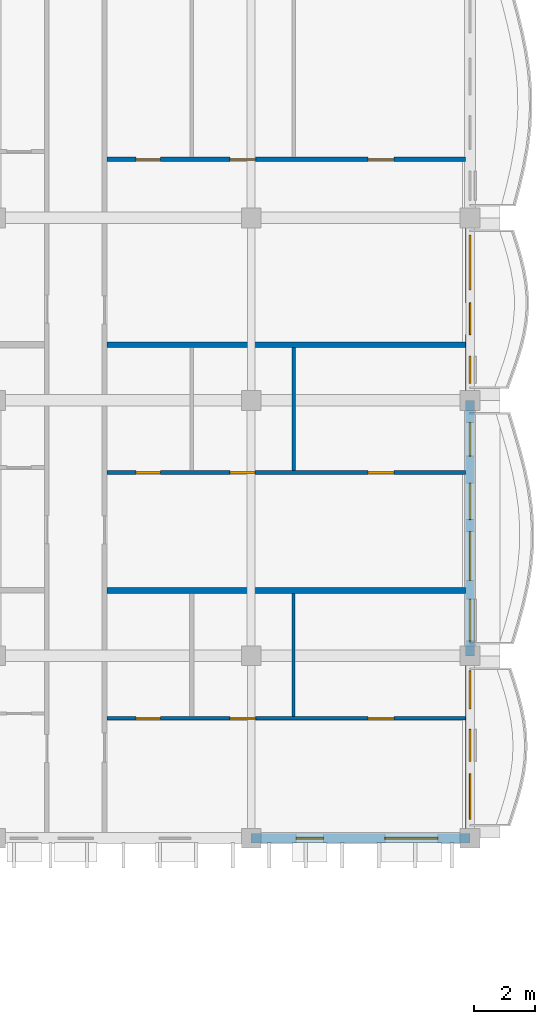
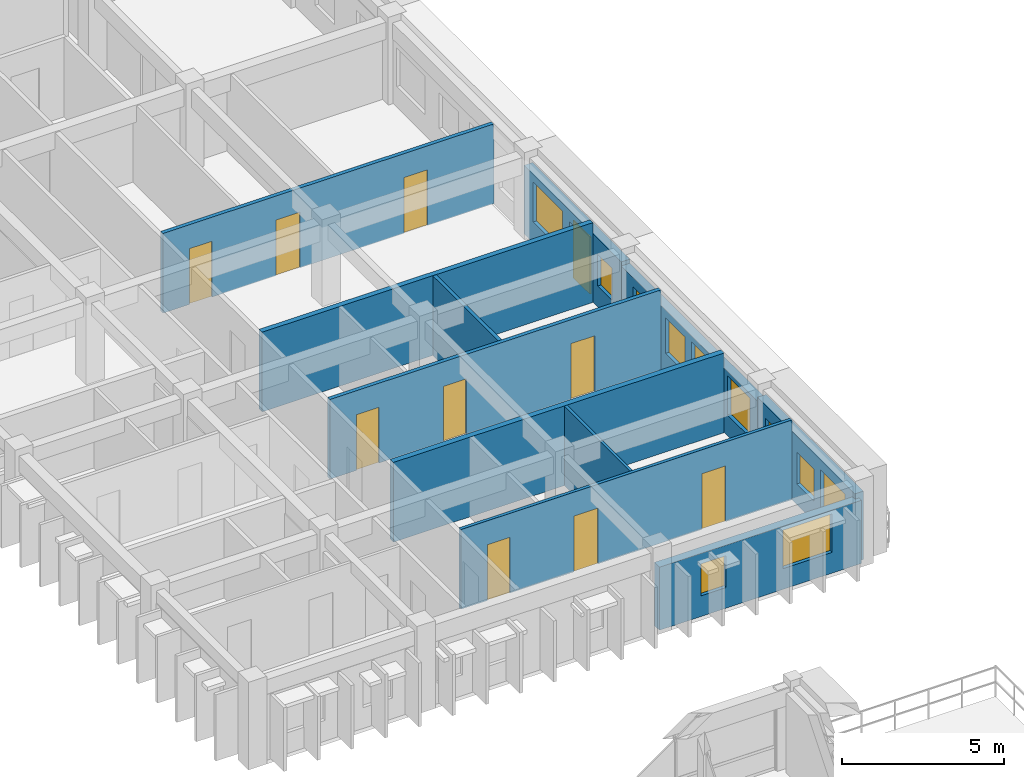
# One storey, part 34 of 66: 12 doors, 11 walls, 9 windows, 21 openings.
"""IFC4 building model written with IfcOpenShell, lengths in metres."""

from ifc_helpers import new_model, si_unit, direction, frame, frame_2d, origin, place, context, subcontext, project, spatial, rectangle, extrude, material, layer, layer_set, type_object, element, fill, save


model = new_model("IFC4")

# Units and contexts
model_context = context("Model", 3, precision=1e-05, world=origin(), true_north=direction((0.0, 1.0)))
body_context = subcontext(model_context, "Body", "Model", "MODEL_VIEW")
ifc_project = project(units=[si_unit("LENGTHUNIT", "METRE"), si_unit("AREAUNIT", "SQUARE_METRE"), si_unit("VOLUMEUNIT", "CUBIC_METRE"), si_unit("PLANEANGLEUNIT", "RADIAN"), si_unit("MASSUNIT", "GRAM", prefix="KILO"), si_unit("THERMODYNAMICTEMPERATUREUNIT", "KELVIN")], contexts=[model_context])

# Site, building, storey
site_placement = place(None, origin())
site = spatial("IfcSite", under=ifc_project, at=site_placement, CompositionType="ELEMENT")
building_placement = place(site_placement, origin())
building = spatial("IfcBuilding", under=site, at=building_placement, Name="Thalorik Housing Commons", CompositionType="ELEMENT")
storey_placement = place(building_placement, frame((0.0, 0.0, 21.300048828125)))
storey = spatial("IfcBuildingStorey", under=building, at=storey_placement, Name="L06", CompositionType="ELEMENT", Elevation=21.300048828125)

# Wall, openings, windows
ifc_material_1 = material(Name="White precast concrete C40/50", Category="concrete")
ifc_layer_1 = layer(ifc_material_1, 0.304931640625, Name="White precast concrete C40/50", Category="concrete")
ifc_layer_set_1 = layer_set([ifc_layer_1], Name="White precast concrete C40/50")
wall_type_1 = type_object("IfcWallType", Name="ARC-WAL-EXT-305", PredefinedType="STANDARD", material=ifc_layer_set_1)
wall_1_placement = place(storey_placement, frame((166.800048828125, 80.39990234375, 0.0), z_axis=(0.0, 0.0, 1.0), x_axis=(1.0, 0.0, 0.0)))
wall_1 = element("IfcWall", 1, at=wall_1_placement, inside=storey, type_object=wall_type_1, Name="L06 Exterior Wall WAL-EXT-L06-B-0630", PredefinedType="STANDARD", context=body_context, shape_type="SweptSolid", body=[
    extrude(rectangle(XDim=7.199951171875, YDim=0.304931640625, at=frame_2d((3.60009765625, 0.0))), origin(), (0.0, 0.0, 1.0), 2.375),
])
opening_1_placement = place(wall_1_placement, frame((1.47998046875, 0.0, 0.780029296875)))
opening_1 = element("IfcOpeningElement", 2, at=opening_1_placement, cuts=wall_1, Name="Opening W-01", PredefinedType="OPENING", context=body_context, shape_type="SweptSolid", body=[
    extrude(rectangle(XDim=0.89990234375, YDim=1.199951171875, at=frame_2d((0.449951171875, 0.60009765625))), frame((0.0, 0.16259765625, 0.0), z_axis=(0.0, -1.0, 0.0), x_axis=(1.0, 0.0, 0.0)), (0.0, 0.0, 1.0), 0.324951171875),
])
opening_2_placement = place(wall_1_placement, frame((4.39501953125, 0.0, 0.780029296875)))
opening_2 = element("IfcOpeningElement", 3, at=opening_2_placement, cuts=wall_1, Name="Opening W-17", PredefinedType="OPENING", context=body_context, shape_type="SweptSolid", body=[
    extrude(rectangle(XDim=1.75, YDim=1.449951171875, at=frame_2d((0.875, 0.72509765625))), frame((0.0, 0.16259765625, 0.0), z_axis=(0.0, -1.0, 0.0), x_axis=(1.0, 0.0, 0.0)), (0.0, 0.0, 1.0), 0.324951171875),
])
ifc_material_2 = material(Name="Anodised aluminium and solar-control low-E glass", Category="aluminium")
window_type_1 = type_object("IfcWindowType", Name="ARC-WIN-01", PartitioningType="SINGLE_PANEL", PredefinedType="WINDOW", material=ifc_material_2)
window_1_placement = place(opening_1_placement, origin())
window_1 = element("IfcWindow", 4, at=window_1_placement, inside=storey, type_object=window_type_1, Name="L06 Facade Window 1151", OverallHeight=1.199951171875, OverallWidth=0.89990234375, PartitioningType="SINGLE_PANEL", PredefinedType="WINDOW", context=body_context, shape_type="SweptSolid", body=[
    extrude(rectangle(XDim=0.89990234375, YDim=1.199951171875, at=frame_2d((0.449951171875, 0.60009765625))), frame((0.0, 0.030029296875, 0.0), z_axis=(0.0, -1.0, 0.0), x_axis=(1.0, 0.0, 0.0)), (0.0, 0.0, 1.0), 0.06005859375),
])
fill(opening_1, window_1)
window_type_2 = type_object("IfcWindowType", Name="ARC-WIN-17", PartitioningType="DOUBLE_PANEL_VERTICAL", PredefinedType="WINDOW", material=ifc_material_2)
window_2_placement = place(opening_2_placement, origin())
window_2 = element("IfcWindow", 5, at=window_2_placement, inside=storey, type_object=window_type_2, Name="L06 Facade Window 1152", OverallHeight=1.449951171875, OverallWidth=1.75, PartitioningType="DOUBLE_PANEL_VERTICAL", PredefinedType="WINDOW", context=body_context, shape_type="SweptSolid", body=[
    extrude(rectangle(XDim=1.75, YDim=1.449951171875, at=frame_2d((0.875, 0.72509765625))), frame((0.0, 0.030029296875, 0.0), z_axis=(0.0, -1.0, 0.0), x_axis=(1.0, 0.0, 0.0)), (0.0, 0.0, 1.0), 0.06005859375),
])
fill(opening_2, window_2)

# Wall, openings, door, windows
wall_2_placement = place(storey_placement, frame((174.0, 80.39990234375, 0.0), z_axis=(0.0, 0.0, 1.0), x_axis=(0.0, 1.0, 0.0)))
wall_2 = element("IfcWall", 6, at=wall_2_placement, inside=storey, type_object=wall_type_1, Name="L06 Exterior Wall WAL-EXT-L06-B-0631", PredefinedType="STANDARD", context=body_context, shape_type="SweptSolid", body=[
    extrude(rectangle(XDim=6.0, YDim=0.304931640625, at=frame_2d((3.0, 0.0))), origin(), (0.0, 0.0, 1.0), 2.574951171875),
])
opening_3_placement = place(wall_2_placement, frame((0.6201171875, 0.0, 0.0)))
opening_3 = element("IfcOpeningElement", 7, at=opening_3_placement, cuts=wall_2, Name="Opening ED-0204", PredefinedType="OPENING", context=body_context, shape_type="SweptSolid", body=[
    extrude(rectangle(XDim=1.5, YDim=2.199951171875, at=frame_2d((0.75, 1.10009765625))), frame((0.0, 0.16259765625, 0.0), z_axis=(0.0, -1.0, 0.0), x_axis=(1.0, 0.0, 0.0)), (0.0, 0.0, 1.0), 0.324951171875),
])
opening_4_placement = place(wall_2_placement, frame((2.531494140625, 0.0, 0.780029296875)))
opening_4 = element("IfcOpeningElement", 8, at=opening_4_placement, cuts=wall_2, Name="Opening W-44", PredefinedType="OPENING", context=body_context, shape_type="SweptSolid", body=[
    extrude(rectangle(XDim=1.050048828125, YDim=1.199951171875, at=frame_2d((0.52490234375, 0.60009765625))), frame((0.0, 0.16259765625, 0.0), z_axis=(0.0, -1.0, 0.0), x_axis=(1.0, 0.0, 0.0)), (0.0, 0.0, 1.0), 0.324951171875),
])
opening_5_placement = place(wall_2_placement, frame((4.251708984375, 0.0, 0.780029296875)))
opening_5 = element("IfcOpeningElement", 9, at=opening_5_placement, cuts=wall_2, Name="Opening W-46", PredefinedType="OPENING", context=body_context, shape_type="SweptSolid", body=[
    extrude(rectangle(XDim=1.25, YDim=1.300048828125, at=frame_2d((0.625, 0.64990234375))), frame((0.0, 0.16259765625, 0.0), z_axis=(0.0, -1.0, 0.0), x_axis=(1.0, 0.0, 0.0)), (0.0, 0.0, 1.0), 0.324951171875),
])
ifc_material_3 = material(Name="Anodised aluminium and laminated safety glass", Category="aluminium")
door_type_1 = type_object("IfcDoorType", Name="ARC-DR-BAL-1500", OperationType="NOTDEFINED", PredefinedType="DOOR", material=ifc_material_3)
door_1_placement = place(opening_3_placement, frame((1.5, 0.0, 0.0), z_axis=(0.0, 0.0, 1.0), x_axis=(-1.0, 0.0, 0.0)))
door_1 = element("IfcDoor", 10, at=door_1_placement, inside=storey, type_object=door_type_1, Name="L06 Block B Balcony Glazed Door", OperationType="SLIDING_TO_RIGHT", OverallHeight=2.199951171875, OverallWidth=1.5, PredefinedType="DOOR", context=body_context, shape_type="SweptSolid", body=[
    extrude(rectangle(XDim=1.5, YDim=2.199951171875, at=frame_2d((0.75, 1.10009765625))), frame((0.0, 0.02490234375, 0.0), z_axis=(0.0, -1.0, 0.0), x_axis=(1.0, 0.0, 0.0)), (0.0, 0.0, 1.0), 0.050048828125),
])
fill(opening_3, door_1)
window_type_3 = type_object("IfcWindowType", Name="ARC-WIN-44", PartitioningType="SINGLE_PANEL", PredefinedType="WINDOW", material=ifc_material_2)
window_3_placement = place(opening_4_placement, origin())
window_3 = element("IfcWindow", 11, at=window_3_placement, inside=storey, type_object=window_type_3, Name="L06 Facade Window 1153", OverallHeight=1.199951171875, OverallWidth=1.050048828125, PartitioningType="SINGLE_PANEL", PredefinedType="WINDOW", context=body_context, shape_type="SweptSolid", body=[
    extrude(rectangle(XDim=1.050048828125, YDim=1.199951171875, at=frame_2d((0.52490234375, 0.60009765625))), frame((0.0, 0.030029296875, 0.0), z_axis=(0.0, -1.0, 0.0), x_axis=(1.0, 0.0, 0.0)), (0.0, 0.0, 1.0), 0.06005859375),
])
fill(opening_4, window_3)
window_type_4 = type_object("IfcWindowType", Name="ARC-WIN-46", PartitioningType="SINGLE_PANEL", PredefinedType="WINDOW", material=ifc_material_2)
window_4_placement = place(opening_5_placement, origin())
window_4 = element("IfcWindow", 12, at=window_4_placement, inside=storey, type_object=window_type_4, Name="L06 Facade Window 1154", OverallHeight=1.300048828125, OverallWidth=1.25, PartitioningType="SINGLE_PANEL", PredefinedType="WINDOW", context=body_context, shape_type="SweptSolid", body=[
    extrude(rectangle(XDim=1.25, YDim=1.300048828125, at=frame_2d((0.625, 0.64990234375))), frame((0.0, 0.030029296875, 0.0), z_axis=(0.0, -1.0, 0.0), x_axis=(1.0, 0.0, 0.0)), (0.0, 0.0, 1.0), 0.06005859375),
])
fill(opening_5, window_4)

wall_3_placement = place(storey_placement, frame((174.0, 86.39990234375, 0.0), z_axis=(0.0, 0.0, 1.0), x_axis=(0.0, 1.0, 0.0)))
wall_3 = element("IfcWall", 13, at=wall_3_placement, inside=storey, type_object=wall_type_1, Name="L06 Exterior Wall WAL-EXT-L06-B-0632", PredefinedType="STANDARD", context=body_context, shape_type="SweptSolid", body=[
    extrude(rectangle(XDim=8.400146484375, YDim=0.304931640625, at=frame_2d((4.2001953125, 0.0))), origin(), (0.0, 0.0, 1.0), 2.425048828125),
])
opening_6_placement = place(wall_3_placement, frame((2.47998046875, 0.0, 0.0)))
opening_6 = element("IfcOpeningElement", 14, at=opening_6_placement, cuts=wall_3, Name="Opening ED-0205", PredefinedType="OPENING", context=body_context, shape_type="SweptSolid", body=[
    extrude(rectangle(XDim=1.60009765625, YDim=2.199951171875, at=frame_2d((0.800048828125, 1.10009765625))), frame((0.0, 0.16259765625, 0.0), z_axis=(0.0, -1.0, 0.0), x_axis=(1.0, 0.0, 0.0)), (0.0, 0.0, 1.0), 0.324951171875),
])
opening_7_placement = place(wall_3_placement, frame((0.47998046875, 0.0, 0.780029296875)))
opening_7 = element("IfcOpeningElement", 15, at=opening_7_placement, cuts=wall_3, Name="Opening W-49", PredefinedType="OPENING", context=body_context, shape_type="SweptSolid", body=[
    extrude(rectangle(XDim=1.3798828125, YDim=1.47998046875, at=frame_2d((0.68994140625, 0.739990234375))), frame((0.0, 0.16259765625, 0.0), z_axis=(0.0, -1.0, 0.0), x_axis=(1.0, 0.0, 0.0)), (0.0, 0.0, 1.0), 0.324951171875),
])
opening_8_placement = place(wall_3_placement, frame((4.479248046875, 0.0, 0.780029296875)))
opening_8 = element("IfcOpeningElement", 16, at=opening_8_placement, cuts=wall_3, Name="Opening W-04", PredefinedType="OPENING", context=body_context, shape_type="SweptSolid", body=[
    extrude(rectangle(XDim=1.199951171875, YDim=1.35009765625, at=frame_2d((0.60009765625, 0.675048828125))), frame((0.0, 0.16259765625, 0.0), z_axis=(0.0, -1.0, 0.0), x_axis=(1.0, 0.0, 0.0)), (0.0, 0.0, 1.0), 0.324951171875),
])
opening_9_placement = place(wall_3_placement, frame((6.569091796875, 0.0, 0.780029296875)))
opening_9 = element("IfcOpeningElement", 17, at=opening_9_placement, cuts=wall_3, Name="Opening W-03", PredefinedType="OPENING", context=body_context, shape_type="SweptSolid", body=[
    extrude(rectangle(XDim=1.10009765625, YDim=1.300048828125, at=frame_2d((0.550048828125, 0.64990234375))), frame((0.0, 0.16259765625, 0.0), z_axis=(0.0, -1.0, 0.0), x_axis=(1.0, 0.0, 0.0)), (0.0, 0.0, 1.0), 0.324951171875),
])
door_type_2 = type_object("IfcDoorType", Name="ARC-DR-BAL-1600", OperationType="NOTDEFINED", PredefinedType="DOOR", material=ifc_material_3)
door_2_placement = place(opening_6_placement, frame((1.60009765625, 0.0, 0.0), z_axis=(0.0, 0.0, 1.0), x_axis=(-1.0, 0.0, 0.0)))
door_2 = element("IfcDoor", 18, at=door_2_placement, inside=storey, type_object=door_type_2, Name="L06 Block B Balcony Glazed Door", OperationType="SLIDING_TO_LEFT", OverallHeight=2.199951171875, OverallWidth=1.60009765625, PredefinedType="DOOR", context=body_context, shape_type="SweptSolid", body=[
    extrude(rectangle(XDim=1.60009765625, YDim=2.199951171875, at=frame_2d((0.800048828125, 1.10009765625))), frame((0.0, 0.02490234375, 0.0), z_axis=(0.0, -1.0, 0.0), x_axis=(1.0, 0.0, 0.0)), (0.0, 0.0, 1.0), 0.050048828125),
])
fill(opening_6, door_2)
window_type_5 = type_object("IfcWindowType", Name="ARC-WIN-03", PartitioningType="SINGLE_PANEL", PredefinedType="WINDOW", material=ifc_material_2)
window_5_placement = place(opening_9_placement, origin())
window_5 = element("IfcWindow", 19, at=window_5_placement, inside=storey, type_object=window_type_5, Name="L06 Facade Window 1157", OverallHeight=1.300048828125, OverallWidth=1.10009765625, PartitioningType="SINGLE_PANEL", PredefinedType="WINDOW", context=body_context, shape_type="SweptSolid", body=[
    extrude(rectangle(XDim=1.10009765625, YDim=1.300048828125, at=frame_2d((0.550048828125, 0.64990234375))), frame((0.0, 0.030029296875, 0.0), z_axis=(0.0, -1.0, 0.0), x_axis=(1.0, 0.0, 0.0)), (0.0, 0.0, 1.0), 0.06005859375),
])
fill(opening_9, window_5)
window_type_6 = type_object("IfcWindowType", Name="ARC-WIN-04", PartitioningType="SINGLE_PANEL", PredefinedType="WINDOW", material=ifc_material_2)
window_6_placement = place(opening_8_placement, origin())
window_6 = element("IfcWindow", 20, at=window_6_placement, inside=storey, type_object=window_type_6, Name="L06 Facade Window 1156", OverallHeight=1.35009765625, OverallWidth=1.199951171875, PartitioningType="SINGLE_PANEL", PredefinedType="WINDOW", context=body_context, shape_type="SweptSolid", body=[
    extrude(rectangle(XDim=1.199951171875, YDim=1.35009765625, at=frame_2d((0.60009765625, 0.675048828125))), frame((0.0, 0.030029296875, 0.0), z_axis=(0.0, -1.0, 0.0), x_axis=(1.0, 0.0, 0.0)), (0.0, 0.0, 1.0), 0.06005859375),
])
fill(opening_8, window_6)
window_type_7 = type_object("IfcWindowType", Name="ARC-WIN-49", PartitioningType="SINGLE_PANEL", PredefinedType="WINDOW", material=ifc_material_2)
window_7_placement = place(opening_7_placement, origin())
window_7 = element("IfcWindow", 21, at=window_7_placement, inside=storey, type_object=window_type_7, Name="L06 Facade Window 1155", OverallHeight=1.47998046875, OverallWidth=1.3798828125, PartitioningType="SINGLE_PANEL", PredefinedType="WINDOW", context=body_context, shape_type="SweptSolid", body=[
    extrude(rectangle(XDim=1.3798828125, YDim=1.47998046875, at=frame_2d((0.68994140625, 0.739990234375))), frame((0.0, 0.030029296875, 0.0), z_axis=(0.0, -1.0, 0.0), x_axis=(1.0, 0.0, 0.0)), (0.0, 0.0, 1.0), 0.06005859375),
])
fill(opening_7, window_7)

wall_4_placement = place(storey_placement, frame((174.0, 94.800048828125, 0.0), z_axis=(0.0, 0.0, 1.0), x_axis=(0.0, 1.0, 0.0)))
wall_4 = element("IfcWall", 22, at=wall_4_placement, inside=storey, type_object=wall_type_1, Name="L06 Exterior Wall WAL-EXT-L06-B-0633", PredefinedType="STANDARD", context=body_context, shape_type="SweptSolid", body=[
    extrude(rectangle(XDim=6.0, YDim=0.304931640625, at=frame_2d((3.0, 0.0))), origin(), (0.0, 0.0, 1.0), 2.574951171875),
])
opening_10_placement = place(wall_4_placement, frame((2.159912109375, 0.0, 0.0)))
opening_10 = element("IfcOpeningElement", 23, at=opening_10_placement, cuts=wall_4, Name="Opening ED-0206", PredefinedType="OPENING", context=body_context, shape_type="SweptSolid", body=[
    extrude(rectangle(XDim=1.050048828125, YDim=2.14990234375, at=frame_2d((0.52490234375, 1.074951171875))), frame((0.0, 0.16259765625, 0.0), z_axis=(0.0, -1.0, 0.0), x_axis=(1.0, 0.0, 0.0)), (0.0, 0.0, 1.0), 0.324951171875),
])
opening_11_placement = place(wall_4_placement, frame((0.56005859375, 0.0, 0.780029296875)))
opening_11 = element("IfcOpeningElement", 24, at=opening_11_placement, cuts=wall_4, Name="Opening W-01", PredefinedType="OPENING", context=body_context, shape_type="SweptSolid", body=[
    extrude(rectangle(XDim=0.89990234375, YDim=1.199951171875, at=frame_2d((0.449951171875, 0.60009765625))), frame((0.0, 0.16259765625, 0.0), z_axis=(0.0, -1.0, 0.0), x_axis=(1.0, 0.0, 0.0)), (0.0, 0.0, 1.0), 0.324951171875),
])
opening_12_placement = place(wall_4_placement, frame((3.635009765625, 0.0, 0.780029296875)))
opening_12 = element("IfcOpeningElement", 25, at=opening_12_placement, cuts=wall_4, Name="Opening W-18", PredefinedType="OPENING", context=body_context, shape_type="SweptSolid", body=[
    extrude(rectangle(XDim=1.800048828125, YDim=1.5, at=frame_2d((0.89990234375, 0.75))), frame((0.0, 0.16259765625, 0.0), z_axis=(0.0, -1.0, 0.0), x_axis=(1.0, 0.0, 0.0)), (0.0, 0.0, 1.0), 0.324951171875),
])
door_type_3 = type_object("IfcDoorType", Name="ARC-DR-BAL-1050", OperationType="NOTDEFINED", PredefinedType="DOOR", material=ifc_material_3)
door_3_placement = place(opening_10_placement, frame((1.050048828125, 0.0, 0.0), z_axis=(0.0, 0.0, 1.0), x_axis=(-1.0, 0.0, 0.0)))
door_3 = element("IfcDoor", 26, at=door_3_placement, inside=storey, type_object=door_type_3, Name="L06 Block B Balcony Glazed Door", OperationType="SINGLE_SWING_LEFT", OverallHeight=2.14990234375, OverallWidth=1.050048828125, PredefinedType="DOOR", context=body_context, shape_type="SweptSolid", body=[
    extrude(rectangle(XDim=1.050048828125, YDim=2.14990234375, at=frame_2d((0.52490234375, 1.074951171875))), frame((0.0, 0.02490234375, 0.0), z_axis=(0.0, -1.0, 0.0), x_axis=(1.0, 0.0, 0.0)), (0.0, 0.0, 1.0), 0.050048828125),
])
fill(opening_10, door_3)
window_8_placement = place(opening_11_placement, origin())
window_8 = element("IfcWindow", 27, at=window_8_placement, inside=storey, type_object=window_type_1, Name="L06 Facade Window 1158", OverallHeight=1.199951171875, OverallWidth=0.89990234375, PartitioningType="SINGLE_PANEL", PredefinedType="WINDOW", context=body_context, shape_type="SweptSolid", body=[
    extrude(rectangle(XDim=0.89990234375, YDim=1.199951171875, at=frame_2d((0.449951171875, 0.60009765625))), frame((0.0, 0.030029296875, 0.0), z_axis=(0.0, -1.0, 0.0), x_axis=(1.0, 0.0, 0.0)), (0.0, 0.0, 1.0), 0.06005859375),
])
fill(opening_11, window_8)
window_type_8 = type_object("IfcWindowType", Name="ARC-WIN-18", PartitioningType="DOUBLE_PANEL_VERTICAL", PredefinedType="WINDOW", material=ifc_material_2)
window_9_placement = place(opening_12_placement, origin())
window_9 = element("IfcWindow", 28, at=window_9_placement, inside=storey, type_object=window_type_8, Name="L06 Facade Window 1159", OverallHeight=1.5, OverallWidth=1.800048828125, PartitioningType="DOUBLE_PANEL_VERTICAL", PredefinedType="WINDOW", context=body_context, shape_type="SweptSolid", body=[
    extrude(rectangle(XDim=1.800048828125, YDim=1.5, at=frame_2d((0.89990234375, 0.75))), frame((0.0, 0.030029296875, 0.0), z_axis=(0.0, -1.0, 0.0), x_axis=(1.0, 0.0, 0.0)), (0.0, 0.0, 1.0), 0.06005859375),
])
fill(opening_12, window_9)

# Wall
ifc_material_4 = material(Name="Gypsum light stud partition", Category="masonry")
ifc_layer_2 = layer(ifc_material_4, 0.10009765625, Name="Gypsum light stud partition", Category="masonry")
ifc_layer_set_2 = layer_set([ifc_layer_2], Name="Gypsum light stud partition")
wall_type_2 = type_object("IfcWallType", Name="ARC-WAL-PART-100", PredefinedType="PARTITIONING", material=ifc_layer_set_2)
wall_5_placement = place(storey_placement, frame((168.19921875, 84.402587890625, 0.0), z_axis=(0.0, 0.0, 1.0), x_axis=(0.0, 1.0, 0.0)))
element("IfcWall", 29, at=wall_5_placement, inside=storey, type_object=wall_type_2, Name="L06 Unit 1B Bedroom Partition", PredefinedType="PARTITIONING", context=body_context, shape_type="SweptSolid", body=[
    extrude(rectangle(XDim=4.04541015625, YDim=0.10009765625, at=frame_2d((2.022705078125, 0.0))), origin(), (0.0, 0.0, 1.0), 3.0),
])

# Wall, openings, doors
ifc_material_5 = material(Name="Gypsum moisture-resistant partition", Category="masonry")
ifc_layer_3 = layer(ifc_material_5, 0.114990234375, Name="Gypsum moisture-resistant partition", Category="masonry")
ifc_layer_set_3 = layer_set([ifc_layer_3], Name="Gypsum moisture-resistant partition")
wall_type_3 = type_object("IfcWallType", Name="ARC-WAL-PART-115", PredefinedType="PARTITIONING", material=ifc_layer_set_3)
wall_6_placement = place(storey_placement, frame((162.064453125, 84.34326171875, 0.0), z_axis=(0.0, 0.0, 1.0), x_axis=(1.0, 0.0, 0.0)))
wall_6 = element("IfcWall", 30, at=wall_6_placement, inside=storey, type_object=wall_type_3, Name="L06 Unit 1B Spine Partition", PredefinedType="PARTITIONING", context=body_context, shape_type="SweptSolid", body=[
    extrude(rectangle(XDim=11.781005859375, YDim=0.114990234375, at=frame_2d((5.890625, 0.0))), origin(), (0.0, 0.0, 1.0), 3.0),
])
opening_13_placement = place(wall_6_placement, frame((0.95068359375, 0.0, 0.0)))
opening_13 = element("IfcOpeningElement", 31, at=opening_13_placement, cuts=wall_6, Name="Opening ID-1257", PredefinedType="OPENING", context=body_context, shape_type="SweptSolid", body=[
    extrude(rectangle(XDim=0.800048828125, YDim=2.10009765625, at=frame_2d((0.39990234375, 1.050048828125))), frame((0.0, 0.0673828125, 0.0), z_axis=(0.0, -1.0, 0.0), x_axis=(1.0, 0.0, 0.0)), (0.0, 0.0, 1.0), 0.135009765625),
])
opening_14_placement = place(wall_6_placement, frame((4.035400390625, 0.0, 0.0)))
opening_14 = element("IfcOpeningElement", 32, at=opening_14_placement, cuts=wall_6, Name="Opening ID-1258", PredefinedType="OPENING", context=body_context, shape_type="SweptSolid", body=[
    extrude(rectangle(XDim=0.85009765625, YDim=2.10009765625, at=frame_2d((0.425048828125, 1.050048828125))), frame((0.0, 0.0673828125, 0.0), z_axis=(0.0, -1.0, 0.0), x_axis=(1.0, 0.0, 0.0)), (0.0, 0.0, 1.0), 0.135009765625),
])
opening_15_placement = place(wall_6_placement, frame((8.580078125, 0.0, 0.0)))
opening_15 = element("IfcOpeningElement", 33, at=opening_15_placement, cuts=wall_6, Name="Opening ID-1259", PredefinedType="OPENING", context=body_context, shape_type="SweptSolid", body=[
    extrude(rectangle(XDim=0.85009765625, YDim=2.10009765625, at=frame_2d((0.425048828125, 1.050048828125))), frame((0.0, 0.0673828125, 0.0), z_axis=(0.0, -1.0, 0.0), x_axis=(1.0, 0.0, 0.0)), (0.0, 0.0, 1.0), 0.135009765625),
])
ifc_material_6 = material(Name="Moisture-resistant timber", Category="wood")
door_type_4 = type_object("IfcDoorType", Name="ARC-DR-INT-800", OperationType="NOTDEFINED", PredefinedType="DOOR", material=ifc_material_6)
door_4_placement = place(opening_13_placement, origin())
door_4 = element("IfcDoor", 34, at=door_4_placement, inside=storey, type_object=door_type_4, Name="L06 Accessible Bathroom Door", OperationType="SINGLE_SWING_RIGHT", OverallHeight=2.10009765625, OverallWidth=0.800048828125, PredefinedType="DOOR", context=body_context, shape_type="SweptSolid", body=[
    extrude(rectangle(XDim=0.800048828125, YDim=2.10009765625, at=frame_2d((0.39990234375, 1.050048828125))), frame((0.0, 0.02490234375, 0.0), z_axis=(0.0, -1.0, 0.0), x_axis=(1.0, 0.0, 0.0)), (0.0, 0.0, 1.0), 0.050048828125),
])
fill(opening_13, door_4)
ifc_material_7 = material(Name="Engineered oak timber", Category="wood")
door_type_5 = type_object("IfcDoorType", Name="ARC-DR-INT-850", OperationType="NOTDEFINED", PredefinedType="DOOR", material=ifc_material_7)
door_5_placement = place(opening_14_placement, origin())
door_5 = element("IfcDoor", 35, at=door_5_placement, inside=storey, type_object=door_type_5, Name="L06 Eat-In Kitchen Door", OperationType="SINGLE_SWING_LEFT", OverallHeight=2.10009765625, OverallWidth=0.85009765625, PredefinedType="DOOR", context=body_context, shape_type="SweptSolid", body=[
    extrude(rectangle(XDim=0.85009765625, YDim=2.10009765625, at=frame_2d((0.425048828125, 1.050048828125))), frame((0.0, 0.02490234375, 0.0), z_axis=(0.0, -1.0, 0.0), x_axis=(1.0, 0.0, 0.0)), (0.0, 0.0, 1.0), 0.050048828125),
])
fill(opening_14, door_5)
door_6_placement = place(opening_15_placement, origin())
door_6 = element("IfcDoor", 36, at=door_6_placement, inside=storey, type_object=door_type_5, Name="L06 Single Bedroom Door", OperationType="SINGLE_SWING_RIGHT", OverallHeight=2.10009765625, OverallWidth=0.85009765625, PredefinedType="DOOR", context=body_context, shape_type="SweptSolid", body=[
    extrude(rectangle(XDim=0.85009765625, YDim=2.10009765625, at=frame_2d((0.425048828125, 1.050048828125))), frame((0.0, 0.02490234375, 0.0), z_axis=(0.0, -1.0, 0.0), x_axis=(1.0, 0.0, 0.0)), (0.0, 0.0, 1.0), 0.050048828125),
])
fill(opening_15, door_6)

# Wall
ifc_material_8 = material(Name="Gypsum acoustic stud partition", Category="masonry")
ifc_layer_4 = layer(ifc_material_8, 0.125, Name="Gypsum acoustic stud partition", Category="masonry")
ifc_layer_set_4 = layer_set([ifc_layer_4], Name="Gypsum acoustic stud partition")
wall_type_4 = type_object("IfcWallType", Name="ARC-WAL-PART-125", PredefinedType="PARTITIONING", material=ifc_layer_set_4)
wall_7_placement = place(storey_placement, frame((168.19921875, 92.50048828125, 0.0), z_axis=(0.0, 0.0, 1.0), x_axis=(0.0, 1.0, 0.0)))
element("IfcWall", 37, at=wall_7_placement, inside=storey, type_object=wall_type_4, Name="L06 Unit 2B Bedroom Partition", PredefinedType="PARTITIONING", context=body_context, shape_type="SweptSolid", body=[
    extrude(rectangle(XDim=4.034912109375, YDim=0.125, at=frame_2d((2.017578125, 0.0))), origin(), (0.0, 0.0, 1.0), 3.0),
])

# Wall, openings, doors
ifc_material_9 = material(Name="Ceramic masonry partition wall", Category="masonry")
ifc_layer_5 = layer(ifc_material_9, 0.139892578125, Name="Ceramic masonry partition wall", Category="masonry")
ifc_layer_set_5 = layer_set([ifc_layer_5], Name="Ceramic masonry partition wall")
wall_type_5 = type_object("IfcWallType", Name="ARC-WAL-PART-140", PredefinedType="PARTITIONING", material=ifc_layer_set_5)
wall_8_placement = place(storey_placement, frame((162.064453125, 92.428466796875, 0.0), z_axis=(0.0, 0.0, 1.0), x_axis=(1.0, 0.0, 0.0)))
wall_8 = element("IfcWall", 38, at=wall_8_placement, inside=storey, type_object=wall_type_5, Name="L06 Unit 2B Spine Partition", PredefinedType="PARTITIONING", context=body_context, shape_type="SweptSolid", body=[
    extrude(rectangle(XDim=11.781005859375, YDim=0.139892578125, at=frame_2d((5.890625, 0.0))), origin(), (0.0, 0.0, 1.0), 3.0),
])
opening_16_placement = place(wall_8_placement, frame((0.95068359375, 0.0, 0.0)))
opening_16 = element("IfcOpeningElement", 39, at=opening_16_placement, cuts=wall_8, Name="Opening ID-1263", PredefinedType="OPENING", context=body_context, shape_type="SweptSolid", body=[
    extrude(rectangle(XDim=0.800048828125, YDim=2.10009765625, at=frame_2d((0.39990234375, 1.050048828125))), frame((0.0, 0.080078125, 0.0), z_axis=(0.0, -1.0, 0.0), x_axis=(1.0, 0.0, 0.0)), (0.0, 0.0, 1.0), 0.159912109375),
])
opening_17_placement = place(wall_8_placement, frame((4.035400390625, 0.0, 0.0)))
opening_17 = element("IfcOpeningElement", 40, at=opening_17_placement, cuts=wall_8, Name="Opening ID-1264", PredefinedType="OPENING", context=body_context, shape_type="SweptSolid", body=[
    extrude(rectangle(XDim=0.820068359375, YDim=2.080078125, at=frame_2d((0.41015625, 1.0400390625))), frame((0.0, 0.080078125, 0.0), z_axis=(0.0, -1.0, 0.0), x_axis=(1.0, 0.0, 0.0)), (0.0, 0.0, 1.0), 0.159912109375),
])
opening_18_placement = place(wall_8_placement, frame((8.580078125, 0.0, 0.0)))
opening_18 = element("IfcOpeningElement", 41, at=opening_18_placement, cuts=wall_8, Name="Opening ID-1265", PredefinedType="OPENING", context=body_context, shape_type="SweptSolid", body=[
    extrude(rectangle(XDim=0.85009765625, YDim=2.10009765625, at=frame_2d((0.425048828125, 1.050048828125))), frame((0.0, 0.080078125, 0.0), z_axis=(0.0, -1.0, 0.0), x_axis=(1.0, 0.0, 0.0)), (0.0, 0.0, 1.0), 0.159912109375),
])
door_7_placement = place(opening_16_placement, origin())
door_7 = element("IfcDoor", 42, at=door_7_placement, inside=storey, type_object=door_type_4, Name="L06 Flat Bathroom Door", OperationType="SINGLE_SWING_RIGHT", OverallHeight=2.10009765625, OverallWidth=0.800048828125, PredefinedType="DOOR", context=body_context, shape_type="SweptSolid", body=[
    extrude(rectangle(XDim=0.800048828125, YDim=2.10009765625, at=frame_2d((0.39990234375, 1.050048828125))), frame((0.0, 0.02490234375, 0.0), z_axis=(0.0, -1.0, 0.0), x_axis=(1.0, 0.0, 0.0)), (0.0, 0.0, 1.0), 0.050048828125),
])
fill(opening_16, door_7)
door_type_6 = type_object("IfcDoorType", Name="ARC-DR-INT-820", OperationType="NOTDEFINED", PredefinedType="DOOR", material=ifc_material_7)
door_8_placement = place(opening_17_placement, origin())
door_8 = element("IfcDoor", 43, at=door_8_placement, inside=storey, type_object=door_type_6, Name="L06 Galley Kitchen Door", OperationType="SINGLE_SWING_LEFT", OverallHeight=2.080078125, OverallWidth=0.820068359375, PredefinedType="DOOR", context=body_context, shape_type="SweptSolid", body=[
    extrude(rectangle(XDim=0.820068359375, YDim=2.080078125, at=frame_2d((0.41015625, 1.0400390625))), frame((0.0, 0.02490234375, 0.0), z_axis=(0.0, -1.0, 0.0), x_axis=(1.0, 0.0, 0.0)), (0.0, 0.0, 1.0), 0.050048828125),
])
fill(opening_17, door_8)
door_9_placement = place(opening_18_placement, origin())
door_9 = element("IfcDoor", 44, at=door_9_placement, inside=storey, type_object=door_type_5, Name="L06 Single Bedroom Door", OperationType="SINGLE_SWING_RIGHT", OverallHeight=2.10009765625, OverallWidth=0.85009765625, PredefinedType="DOOR", context=body_context, shape_type="SweptSolid", body=[
    extrude(rectangle(XDim=0.85009765625, YDim=2.10009765625, at=frame_2d((0.425048828125, 1.050048828125))), frame((0.0, 0.02490234375, 0.0), z_axis=(0.0, -1.0, 0.0), x_axis=(1.0, 0.0, 0.0)), (0.0, 0.0, 1.0), 0.050048828125),
])
fill(opening_18, door_9)

wall_9_placement = place(storey_placement, frame((162.064453125, 102.730712890625, 0.0), z_axis=(0.0, 0.0, 1.0), x_axis=(1.0, 0.0, 0.0)))
wall_9 = element("IfcWall", 45, at=wall_9_placement, inside=storey, type_object=wall_type_5, Name="L06 Unit 3B Spine Partition", PredefinedType="PARTITIONING", context=body_context, shape_type="SweptSolid", body=[
    extrude(rectangle(XDim=11.781005859375, YDim=0.139892578125, at=frame_2d((5.890625, 0.0))), origin(), (0.0, 0.0, 1.0), 3.0),
])
opening_19_placement = place(wall_9_placement, frame((0.95068359375, 0.0, 0.0)))
opening_19 = element("IfcOpeningElement", 46, at=opening_19_placement, cuts=wall_9, Name="Opening ID-1269", PredefinedType="OPENING", context=body_context, shape_type="SweptSolid", body=[
    extrude(rectangle(XDim=0.800048828125, YDim=2.10009765625, at=frame_2d((0.39990234375, 1.050048828125))), frame((0.0, 0.080078125, 0.0), z_axis=(0.0, -1.0, 0.0), x_axis=(1.0, 0.0, 0.0)), (0.0, 0.0, 1.0), 0.159912109375),
])
opening_20_placement = place(wall_9_placement, frame((4.035400390625, 0.0, 0.0)))
opening_20 = element("IfcOpeningElement", 47, at=opening_20_placement, cuts=wall_9, Name="Opening ID-1270", PredefinedType="OPENING", context=body_context, shape_type="SweptSolid", body=[
    extrude(rectangle(XDim=0.85009765625, YDim=2.10009765625, at=frame_2d((0.425048828125, 1.050048828125))), frame((0.0, 0.080078125, 0.0), z_axis=(0.0, -1.0, 0.0), x_axis=(1.0, 0.0, 0.0)), (0.0, 0.0, 1.0), 0.159912109375),
])
opening_21_placement = place(wall_9_placement, frame((8.580078125, 0.0, 0.0)))
opening_21 = element("IfcOpeningElement", 48, at=opening_21_placement, cuts=wall_9, Name="Opening ID-1271", PredefinedType="OPENING", context=body_context, shape_type="SweptSolid", body=[
    extrude(rectangle(XDim=0.85009765625, YDim=2.10009765625, at=frame_2d((0.425048828125, 1.050048828125))), frame((0.0, 0.080078125, 0.0), z_axis=(0.0, -1.0, 0.0), x_axis=(1.0, 0.0, 0.0)), (0.0, 0.0, 1.0), 0.159912109375),
])
door_10_placement = place(opening_19_placement, origin())
door_10 = element("IfcDoor", 49, at=door_10_placement, inside=storey, type_object=door_type_4, Name="L06 Flat Bathroom Door", OperationType="SINGLE_SWING_RIGHT", OverallHeight=2.10009765625, OverallWidth=0.800048828125, PredefinedType="DOOR", context=body_context, shape_type="SweptSolid", body=[
    extrude(rectangle(XDim=0.800048828125, YDim=2.10009765625, at=frame_2d((0.39990234375, 1.050048828125))), frame((0.0, 0.02490234375, 0.0), z_axis=(0.0, -1.0, 0.0), x_axis=(1.0, 0.0, 0.0)), (0.0, 0.0, 1.0), 0.050048828125),
])
fill(opening_19, door_10)
door_11_placement = place(opening_20_placement, origin())
door_11 = element("IfcDoor", 50, at=door_11_placement, inside=storey, type_object=door_type_5, Name="L06 Eat-In Kitchen Door", OperationType="SINGLE_SWING_LEFT", OverallHeight=2.10009765625, OverallWidth=0.85009765625, PredefinedType="DOOR", context=body_context, shape_type="SweptSolid", body=[
    extrude(rectangle(XDim=0.85009765625, YDim=2.10009765625, at=frame_2d((0.425048828125, 1.050048828125))), frame((0.0, 0.02490234375, 0.0), z_axis=(0.0, -1.0, 0.0), x_axis=(1.0, 0.0, 0.0)), (0.0, 0.0, 1.0), 0.050048828125),
])
fill(opening_20, door_11)
door_12_placement = place(opening_21_placement, origin())
door_12 = element("IfcDoor", 51, at=door_12_placement, inside=storey, type_object=door_type_5, Name="L06 Master Bedroom Door", OperationType="SINGLE_SWING_RIGHT", OverallHeight=2.10009765625, OverallWidth=0.85009765625, PredefinedType="DOOR", context=body_context, shape_type="SweptSolid", body=[
    extrude(rectangle(XDim=0.85009765625, YDim=2.10009765625, at=frame_2d((0.425048828125, 1.050048828125))), frame((0.0, 0.02490234375, 0.0), z_axis=(0.0, -1.0, 0.0), x_axis=(1.0, 0.0, 0.0)), (0.0, 0.0, 1.0), 0.050048828125),
])
fill(opening_21, door_12)

# Walls
ifc_material_10 = material(Name="Masonry acoustic blockwork wall", Category="masonry")
ifc_layer_6 = layer(ifc_material_10, 0.18505859375, Name="Masonry acoustic blockwork wall", Category="masonry")
ifc_layer_set_6 = layer_set([ifc_layer_6], Name="Masonry acoustic blockwork wall")
wall_type_6 = type_object("IfcWallType", Name="ARC-WAL-PARTY-185", PredefinedType="PARTITIONING", material=ifc_layer_set_6)
wall_10_placement = place(storey_placement, frame((162.064453125, 96.6298828125, 0.0), z_axis=(0.0, 0.0, 1.0), x_axis=(1.0, 0.0, 0.0)))
element("IfcWall", 52, at=wall_10_placement, inside=storey, type_object=wall_type_6, Name="L06 Inter-Tenancy Wall 2B", PredefinedType="PARTITIONING", context=body_context, shape_type="SweptSolid", body=[
    extrude(rectangle(XDim=11.781005859375, YDim=0.18505859375, at=frame_2d((5.890625, 0.0))), origin(), (0.0, 0.0, 1.0), 3.0),
])
ifc_material_11 = material(Name="Precast concrete C40/50 acoustic wall", Category="concrete")
ifc_layer_7 = layer(ifc_material_11, 0.199951171875, Name="Precast concrete C40/50 acoustic wall", Category="concrete")
ifc_layer_set_7 = layer_set([ifc_layer_7], Name="Precast concrete C40/50 acoustic wall")
wall_type_7 = type_object("IfcWallType", Name="ARC-WAL-PARTY-200", PredefinedType="PARTITIONING", material=ifc_layer_set_7)
wall_11_placement = place(storey_placement, frame((162.064453125, 88.550048828125, 0.0), z_axis=(0.0, 0.0, 1.0), x_axis=(1.0, 0.0, 0.0)))
element("IfcWall", 53, at=wall_11_placement, inside=storey, type_object=wall_type_7, Name="L06 Inter-Tenancy Wall 1B", PredefinedType="PARTITIONING", context=body_context, shape_type="SweptSolid", body=[
    extrude(rectangle(XDim=11.781005859375, YDim=0.199951171875, at=frame_2d((5.890625, 0.0))), origin(), (0.0, 0.0, 1.0), 3.0),
])

save(model, "model.ifc")
